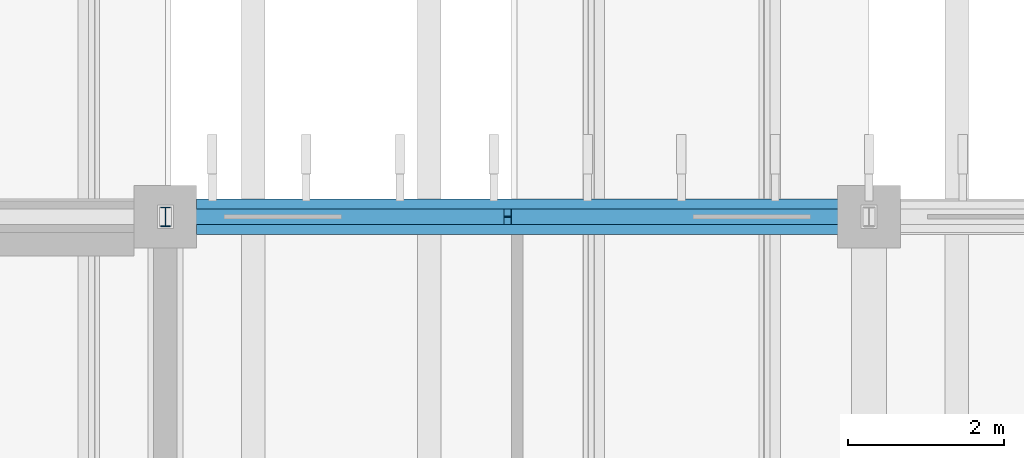
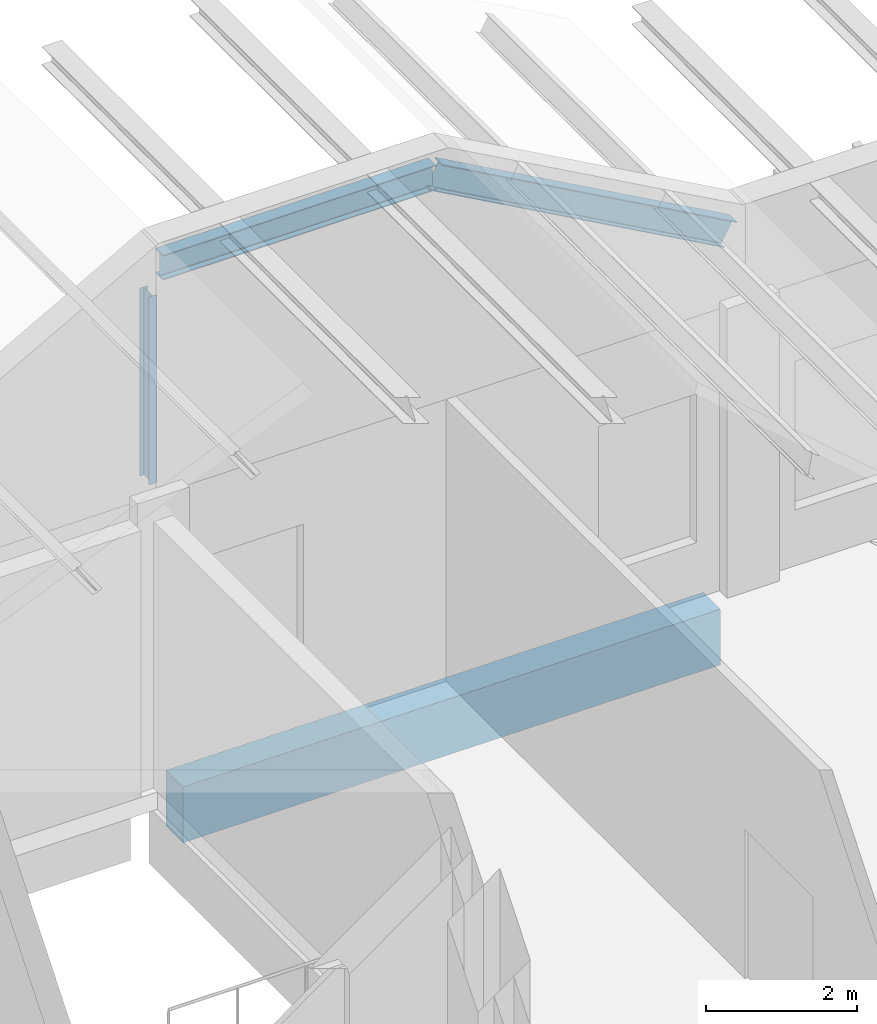
# One storey, part 61 of 437: 3 members, 1 beam.
"""IFC4 building model written with IfcOpenShell, lengths in metres."""

from ifc_helpers import new_model, si_unit, direction, frame, origin, origin_2d, place, context, subcontext, project, spatial, rectangle, i_section, extrude, material, material_profile, profile_set, type_object, element, save


model = new_model("IFC4")

# Units and contexts
model_context = context("Model", 3, precision=1e-05, world=origin(), true_north=direction((0.0, 1.0)))
body_context = subcontext(model_context, "Body", "Model", "MODEL_VIEW")
ifc_project = project(units=[si_unit("LENGTHUNIT", "METRE"), si_unit("AREAUNIT", "SQUARE_METRE"), si_unit("VOLUMEUNIT", "CUBIC_METRE"), si_unit("PLANEANGLEUNIT", "RADIAN"), si_unit("MASSUNIT", "GRAM", prefix="KILO")], contexts=[model_context])

# Site, building, storey
site_placement = place(None, origin())
site = spatial("IfcSite", under=ifc_project, at=site_placement, CompositionType="ELEMENT")
building_placement = place(site_placement, origin())
building = spatial("IfcBuilding", under=site, at=building_placement, Name="Opaline Strait Convention Centre", CompositionType="ELEMENT")
storey_placement = place(building_placement, frame((0.0, 0.0, 11.5)))
storey = spatial("IfcBuildingStorey", under=building, at=storey_placement, Name="L02", CompositionType="ELEMENT", Elevation=11.5)

# Beam
ifc_material_1 = material(Name="Concrete C35", Category="concrete")
ifc_material_profile_1 = material_profile(ifc_material_1, rectangle(XDim=0.449951171875, YDim=0.89990234375, at=origin_2d()), Name="RC 450x900")
ifc_profile_set_1 = profile_set([ifc_material_profile_1], Name="Concrete C35")
beam_type = type_object("IfcBeamType", Name="RC beam 450x900 C35", PredefinedType="BEAM", material=ifc_profile_set_1)
beam_placement = place(storey_placement, frame((27.39990234375, 99.0, -0.72998046875), z_axis=(1.0, 0.0, 0.0), x_axis=(0.0, 1.0, 0.0)))
element("IfcBeam", 1, at=beam_placement, inside=storey, type_object=beam_type, Name="XB1 L02 27/99-36/99", PredefinedType="BEAM", context=body_context, shape_type="SweptSolid", body=[
    extrude(rectangle(XDim=0.449951171875, YDim=0.89990234375, at=origin_2d()), origin(), (0.0, 0.0, 1.0), 8.2001953125),
])

# Members
ifc_material_2 = material(Name="Steel Q355B", Category="steel")
ifc_material_profile_2 = material_profile(ifc_material_2, i_section(OverallWidth=0.125, OverallDepth=0.25, WebThickness=0.006103515625, FlangeThickness=0.009033203125, FilletRadius=0.008056640625, at=origin_2d()), Name="HN 250x125x6x9")
ifc_profile_set_2 = profile_set([ifc_material_profile_2], Name="Steel Q355B")
member_type_1 = type_object("IfcMemberType", Name="Roof post HN 250x125x6x9", PredefinedType="STRUT", material=ifc_profile_set_2)
member_1_placement = place(storey_placement, frame((27.0, 99.0, 4.68994140625), z_axis=(0.0, 0.0, 1.0), x_axis=(1.0, 0.0, 0.0)))
element("IfcMember", 2, at=member_1_placement, inside=storey, type_object=member_type_1, Name="RP1 roof post at 27/99", PredefinedType="STRUT", context=body_context, shape_type="SweptSolid", body=[
    extrude(i_section(OverallWidth=0.125, OverallDepth=0.25, WebThickness=0.006103515625, FlangeThickness=0.009033203125, FilletRadius=0.008056640625, at=origin_2d()), origin(), (0.0, 0.0, 1.0), 3.031005859375),
])
ifc_material_profile_3 = material_profile(ifc_material_2, i_section(OverallWidth=0.199951171875, OverallDepth=0.39990234375, WebThickness=0.008056640625, FlangeThickness=0.012939453125, FilletRadius=0.012939453125, at=origin_2d()), Name="HN 400x200x8x13")
ifc_profile_set_3 = profile_set([ifc_material_profile_3], Name="Steel Q355B")
member_type_2 = type_object("IfcMemberType", Name="Roof rafter HN 400x200x8x13", PredefinedType="RAFTER", material=ifc_profile_set_3)
member_2_placement = place(storey_placement, frame((27.16845703125, 99.0, 8.10009765625), z_axis=(1.0, 0.0, 0.0), x_axis=(0.0, 1.0, 0.0)))
element("IfcMember", 3, at=member_2_placement, inside=storey, type_object=member_type_2, Name="RR1 rafter line 11 facet 6", PredefinedType="RAFTER", context=body_context, shape_type="SweptSolid", body=[
    extrude(i_section(OverallWidth=0.199951171875, OverallDepth=0.39990234375, WebThickness=0.008056640625, FlangeThickness=0.012939453125, FilletRadius=0.012939453125, at=origin_2d()), origin(), (0.0, 0.0, 1.0), 4.1630859375),
])
member_3_placement = place(storey_placement, frame((31.33154296875, 99.0, 8.10009765625), z_axis=(0.874157276122, 0.0, -0.485642931179), x_axis=(0.0, 1.0, 0.0)))
element("IfcMember", 4, at=member_3_placement, inside=storey, type_object=member_type_2, Name="RR1 rafter line 11 facet 7", PredefinedType="RAFTER", context=body_context, shape_type="SweptSolid", body=[
    extrude(i_section(OverallWidth=0.199951171875, OverallDepth=0.39990234375, WebThickness=0.008056640625, FlangeThickness=0.012939453125, FilletRadius=0.012939453125, at=origin_2d()), origin(), (0.0, 0.0, 1.0), 5.147705078125),
])

save(model, "model.ifc")
